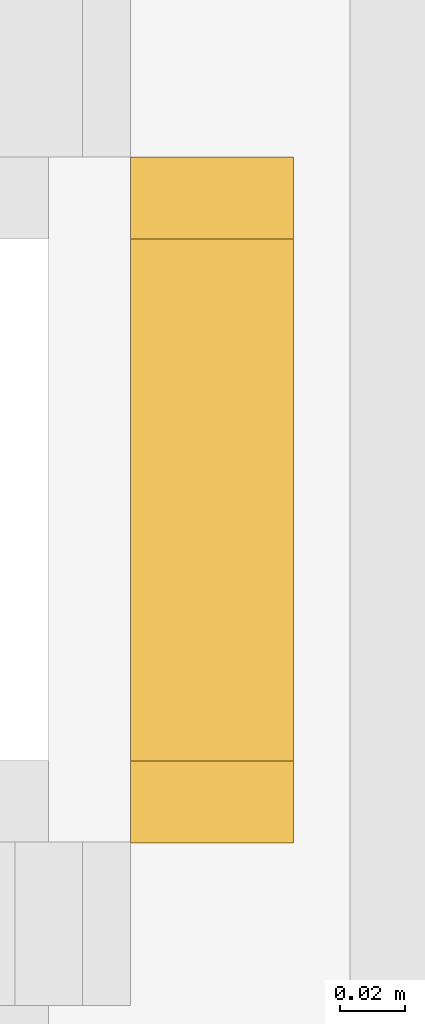
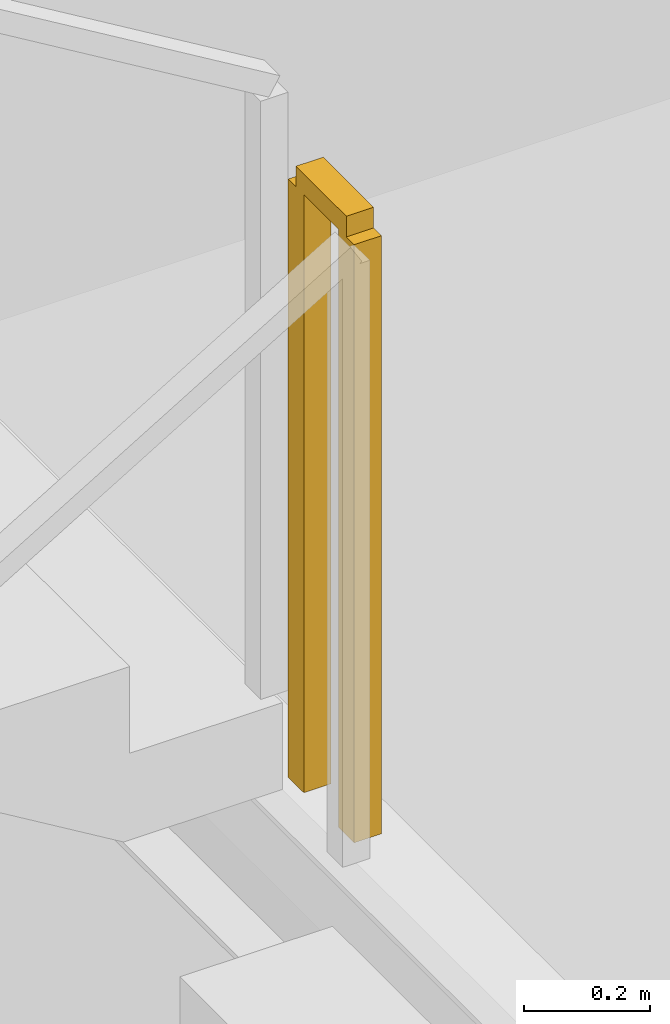
# One storey, part 21 of 21: 1 railing.
"""IFC4 building model written with IfcOpenShell, lengths in metres."""

from ifc_helpers import new_model, si_unit, direction, frame, origin, origin_2d, place, context, subcontext, project, spatial, rectangle, extrude, material, type_object, element, save


model = new_model("IFC4")

# Units and contexts
model_context = context("Model", 3, precision=1e-05, world=origin(), true_north=direction((0.0, 1.0)))
body_context = subcontext(model_context, "Body", "Model", "MODEL_VIEW")
ifc_project = project(units=[si_unit("LENGTHUNIT", "METRE"), si_unit("AREAUNIT", "SQUARE_METRE"), si_unit("VOLUMEUNIT", "CUBIC_METRE"), si_unit("PLANEANGLEUNIT", "RADIAN"), si_unit("MASSUNIT", "GRAM", prefix="KILO")], contexts=[model_context])

# Site, building, storey
site_placement = place(None, origin())
site = spatial("IfcSite", under=ifc_project, at=site_placement, CompositionType="ELEMENT")
building_placement = place(site_placement, origin())
building = spatial("IfcBuilding", under=site, at=building_placement, Name="Qianvela Tower", CompositionType="ELEMENT")
storey_placement = place(building_placement, frame((0.0, 0.0, 242.699951171875)))
storey = spatial("IfcBuildingStorey", under=building, at=storey_placement, Name="L62", CompositionType="ELEMENT", Elevation=242.699951171875)

# Railing
ifc_material = material(Name="Painted Tubular Steel Q355B", Category="steel")
railing_type = type_object("IfcRailingType", Name="RL-STAIR-GUARD-1200", PredefinedType="GUARDRAIL", material=ifc_material)
railing_placement = place(storey_placement, frame((35.050048828125, 30.889892578125, 1.85009765625)))
element("IfcRailing", 1, at=railing_placement, inside=storey, type_object=railing_type, Name="L62 ST-1 stair guard 2", PredefinedType="GUARDRAIL", context=body_context, shape_type="SweptSolid", body=[
    extrude(rectangle(XDim=0.050048828125, YDim=0.0400390625, at=origin_2d()), frame((0.0, 0.0, 1.179931640625), z_axis=(0.0, 1.0, 0.0), x_axis=(-1.0, 0.0, 0.0)), (0.0, 0.0, 1.0), 0.16015625),
    extrude(rectangle(XDim=0.050048828125, YDim=0.050048828125, at=origin_2d()), origin(), (0.0, 0.0, 1.0), 1.159912109375),
    extrude(rectangle(XDim=0.050048828125, YDim=0.050048828125, at=origin_2d()), frame((0.0, 0.16015625, 0.0)), (0.0, 0.0, 1.0), 1.159912109375),
])

save(model, "model.ifc")
